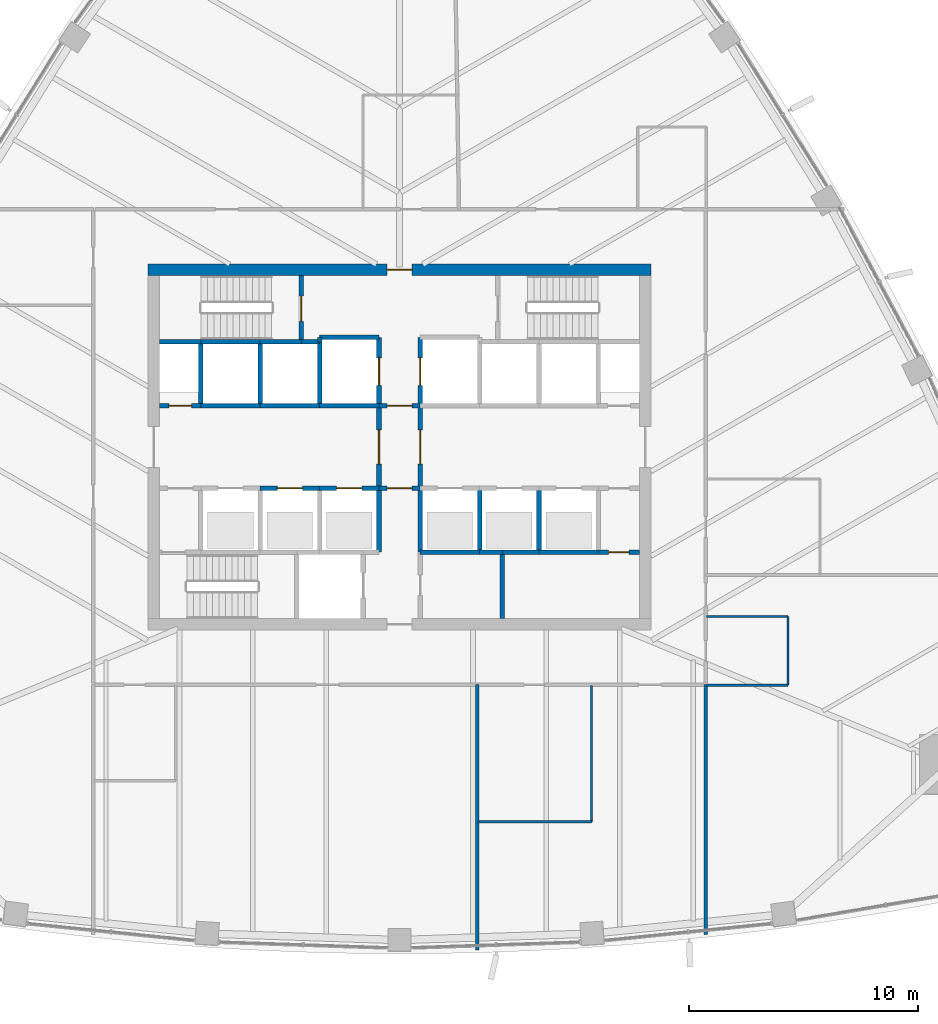
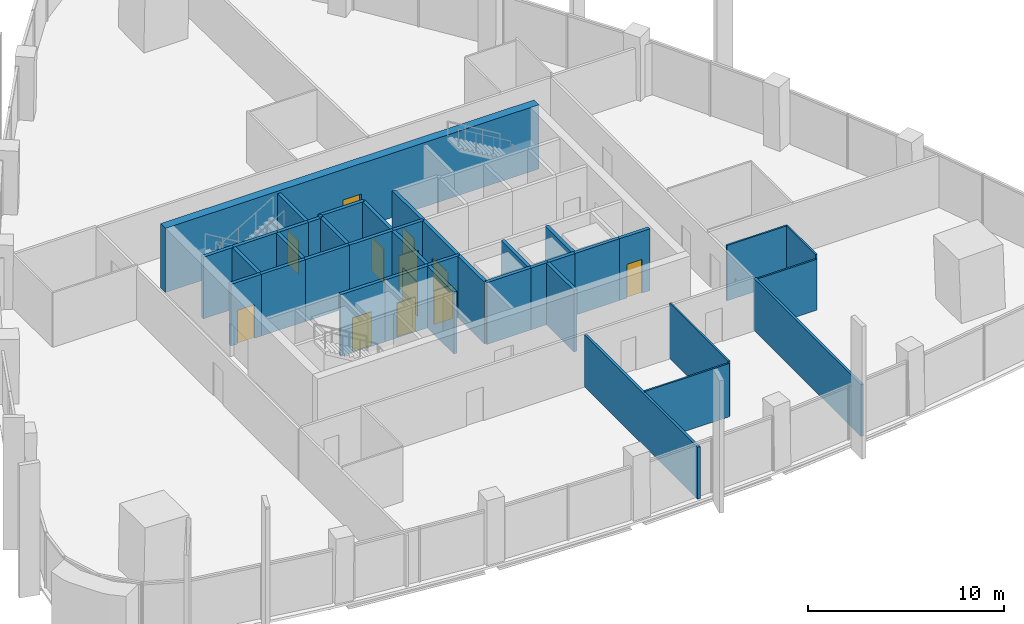
# One storey, part 10 of 20: 40 walls, 12 doors, 12 openings.
"""IFC4 building model written with IfcOpenShell, lengths in metres."""

from ifc_helpers import new_model, si_unit, direction, frame, frame_2d, origin, place, context, subcontext, project, spatial, rectangle, extrude, material, layer, layer_set, type_object, element, fill, save


model = new_model("IFC4")

# Units and contexts
model_context = context("Model", 3, precision=1e-05, world=origin(), true_north=direction((0.0, 1.0)))
body_context = subcontext(model_context, "Body", "Model", "MODEL_VIEW")
ifc_project = project(units=[si_unit("LENGTHUNIT", "METRE"), si_unit("AREAUNIT", "SQUARE_METRE"), si_unit("VOLUMEUNIT", "CUBIC_METRE"), si_unit("PLANEANGLEUNIT", "RADIAN"), si_unit("MASSUNIT", "GRAM", prefix="KILO")], contexts=[model_context])

# Site, building, storey
site_placement = place(None, origin())
site = spatial("IfcSite", under=ifc_project, at=site_placement, CompositionType="ELEMENT")
building_placement = place(site_placement, origin())
building = spatial("IfcBuilding", under=site, at=building_placement, Name="Sierra Prisma Convention Tower", CompositionType="ELEMENT")
storey_placement = place(building_placement, frame((0.0, 0.0, 161.800048828125)))
storey = spatial("IfcBuildingStorey", under=building, at=storey_placement, Name="L35", CompositionType="ELEMENT", Elevation=161.800048828125)

# Walls
ifc_material_1 = material(Name="Gypsum board partition", Category="gypsum")
ifc_layer_1 = layer(ifc_material_1, 0.10009765625)
ifc_layer_set_1 = layer_set([ifc_layer_1], Name="Bathroom partition 100")
wall_type_1 = type_object("IfcWallType", Name="Bathroom partition 100", PredefinedType="PARTITIONING", material=ifc_layer_set_1)
wall_1_placement = place(storey_placement, frame((8.39990234375, -10.429931640625, 0.0), z_axis=(0.0, 0.0, 1.0), x_axis=(0.0, -1.0, 0.0)))
element("IfcWall", 1, at=wall_1_placement, inside=storey, type_object=wall_type_1, Name="Partition L35 bath 7", PredefinedType="PARTITIONING", context=body_context, shape_type="SweptSolid", body=[
    extrude(rectangle(XDim=5.969970703125, YDim=0.10009765625, at=frame_2d((2.98486328125, 0.0))), origin(), (0.0, 0.0, 1.0), 3.449951171875),
])
wall_2_placement = place(storey_placement, frame((8.39990234375, -16.39990234375, 0.0), z_axis=(0.0, 0.0, 1.0), x_axis=(-1.0, 0.0, 0.0)))
element("IfcWall", 2, at=wall_2_placement, inside=storey, type_object=wall_type_1, Name="Partition L35 bath 8", PredefinedType="PARTITIONING", context=body_context, shape_type="SweptSolid", body=[
    extrude(rectangle(XDim=4.969970703125, YDim=0.10009765625, at=frame_2d((2.48486328125, 0.0))), origin(), (0.0, 0.0, 1.0), 3.31689453125),
])
wall_3_placement = place(storey_placement, frame((13.429931640625, -7.419921875, 0.0), z_axis=(0.0, 0.0, 1.0), x_axis=(1.0, 0.0, 0.0)))
element("IfcWall", 3, at=wall_3_placement, inside=storey, type_object=wall_type_1, Name="Partition L35 bath 12", PredefinedType="PARTITIONING", context=body_context, shape_type="SweptSolid", body=[
    extrude(rectangle(XDim=3.570068359375, YDim=0.10009765625, at=frame_2d((1.78515625, 0.0))), origin(), (0.0, 0.0, 1.0), 3.449951171875),
])
wall_4_placement = place(storey_placement, frame((17.0, -7.419921875, 0.0), z_axis=(0.0, 0.0, 1.0), x_axis=(0.0, -1.0, 0.0)))
element("IfcWall", 4, at=wall_4_placement, inside=storey, type_object=wall_type_1, Name="Partition L35 bath 13", PredefinedType="PARTITIONING", context=body_context, shape_type="SweptSolid", body=[
    extrude(rectangle(XDim=3.0, YDim=0.10009765625, at=frame_2d((1.5, 0.0))), origin(), (0.0, 0.0, 1.0), 3.449951171875),
])
wall_5_placement = place(storey_placement, frame((17.0, -10.419921875, 0.0), z_axis=(0.0, 0.0, 1.0), x_axis=(-1.0, 0.0, 0.0)))
element("IfcWall", 5, at=wall_5_placement, inside=storey, type_object=wall_type_1, Name="Partition L35 bath 14", PredefinedType="PARTITIONING", context=body_context, shape_type="SweptSolid", body=[
    extrude(rectangle(XDim=3.570068359375, YDim=0.10009765625, at=frame_2d((1.78515625, 0.0))), origin(), (0.0, 0.0, 1.0), 3.166015625),
])

# Wall, opening, door
ifc_material_2 = material(Name="Concrete C30/37", Category="concrete")
ifc_layer_2 = layer(ifc_material_2, 0.199951171875)
ifc_layer_set_2 = layer_set([ifc_layer_2], Name="Core wall RC 200 C30/37")
wall_type_2 = type_object("IfcWallType", Name="Core wall RC 200 C30/37", PredefinedType="SOLIDWALL", material=ifc_layer_set_2)
wall_6_placement = place(storey_placement, frame((-8.699951171875, 1.800048828125, 0.0), z_axis=(0.0, 0.0, 1.0), x_axis=(-1.0, 0.0, 0.0)))
wall_6 = element("IfcWall", 6, at=wall_6_placement, inside=storey, type_object=wall_type_2, Name="Core wall L35 3", PredefinedType="SOLIDWALL", context=body_context, shape_type="SweptSolid", body=[
    extrude(rectangle(XDim=1.800048828125, YDim=0.199951171875, at=frame_2d((0.89990234375, 0.0))), origin(), (0.0, 0.0, 1.0), 3.849853515625),
])
opening_1_placement = place(wall_6_placement, frame((0.39990234375, 0.0, 0.0)))
opening_1 = element("IfcOpeningElement", 7, at=opening_1_placement, cuts=wall_6, Name="Opening L35-D015", PredefinedType="OPENING", context=body_context, shape_type="SweptSolid", body=[
    extrude(rectangle(XDim=1.0, YDim=2.10009765625, at=frame_2d((0.5, 1.050048828125))), frame((0.0, 0.10009765625, 0.0), z_axis=(0.0, -1.0, 0.0), x_axis=(1.0, 0.0, 0.0)), (0.0, 0.0, 1.0), 0.199951171875),
])
ifc_material_3 = material(Name="Steel fire door leaf", Category="steel")
door_type_1 = type_object("IfcDoorType", Name="Door 1000x2100 FD60S", OperationType="SINGLE_SWING_LEFT", PredefinedType="DOOR", material=ifc_material_3)
door_1_placement = place(opening_1_placement, origin())
door_1 = element("IfcDoor", 8, at=door_1_placement, inside=storey, type_object=door_type_1, Name="Door L35 29", OperationType="SINGLE_SWING_RIGHT", OverallHeight=2.10009765625, OverallWidth=1.0, PredefinedType="DOOR", context=body_context, shape_type="SweptSolid", body=[
    extrude(rectangle(XDim=1.0, YDim=2.10009765625, at=frame_2d((0.5, 1.050048828125))), frame((0.0, 0.02490234375, 0.0), z_axis=(0.0, -1.0, 0.0), x_axis=(1.0, 0.0, 0.0)), (0.0, 0.0, 1.0), 0.050048828125),
])
fill(opening_1, door_1)

# Walls
wall_7_placement = place(storey_placement, frame((-8.699951171875, 4.60009765625, 0.0), z_axis=(0.0, 0.0, 1.0), x_axis=(-1.0, 0.0, 0.0)))
element("IfcWall", 9, at=wall_7_placement, inside=storey, type_object=wall_type_2, Name="Core wall L35 4", PredefinedType="SOLIDWALL", context=body_context, shape_type="SweptSolid", body=[
    extrude(rectangle(XDim=1.800048828125, YDim=0.199951171875, at=frame_2d((0.89990234375, 0.0))), origin(), (0.0, 0.0, 1.0), 3.849853515625),
])
wall_8_placement = place(storey_placement, frame((-6.10009765625, 1.800048828125, 0.0), z_axis=(0.0, 0.0, 1.0), x_axis=(-1.0, 0.0, 0.0)))
element("IfcWall", 10, at=wall_8_placement, inside=storey, type_object=wall_type_2, Name="Core wall L35 8", PredefinedType="SOLIDWALL", context=body_context, shape_type="SweptSolid", body=[
    extrude(rectangle(XDim=2.599853515625, YDim=0.199951171875, at=frame_2d((1.2998046875, 0.0))), origin(), (0.0, 0.0, 1.0), 3.849853515625),
])
wall_9_placement = place(storey_placement, frame((-8.699951171875, 1.800048828125, 0.0), z_axis=(0.0, 0.0, 1.0), x_axis=(0.0, 1.0, 0.0)))
element("IfcWall", 11, at=wall_9_placement, inside=storey, type_object=wall_type_2, Name="Core wall L35 9", PredefinedType="SOLIDWALL", context=body_context, shape_type="SweptSolid", body=[
    extrude(rectangle(XDim=2.800048828125, YDim=0.199951171875, at=frame_2d((1.39990234375, 0.0))), origin(), (0.0, 0.0, 1.0), 3.849853515625),
])
wall_10_placement = place(storey_placement, frame((-6.10009765625, 4.60009765625, 0.0), z_axis=(0.0, 0.0, 1.0), x_axis=(-1.0, 0.0, 0.0)))
element("IfcWall", 12, at=wall_10_placement, inside=storey, type_object=wall_type_2, Name="Core wall L35 10", PredefinedType="SOLIDWALL", context=body_context, shape_type="SweptSolid", body=[
    extrude(rectangle(XDim=2.599853515625, YDim=0.199951171875, at=frame_2d((1.2998046875, 0.0))), origin(), (0.0, 0.0, 1.0), 3.849853515625),
])

# Wall, opening, door
wall_11_placement = place(storey_placement, frame((-6.10009765625, -1.800048828125, 0.0), z_axis=(0.0, 0.0, 1.0), x_axis=(1.0, 0.0, 0.0)))
wall_11 = element("IfcWall", 13, at=wall_11_placement, inside=storey, type_object=wall_type_2, Name="Core wall L35 13", PredefinedType="SOLIDWALL", context=body_context, shape_type="SweptSolid", body=[
    extrude(rectangle(XDim=2.60009765625, YDim=0.199951171875, at=frame_2d((1.300048828125, 0.0))), origin(), (0.0, 0.0, 1.0), 3.849853515625),
])
opening_2_placement = place(wall_11_placement, frame((0.75, 0.0, 0.0)))
opening_2 = element("IfcOpeningElement", 14, at=opening_2_placement, cuts=wall_11, Name="Opening L35-D002", PredefinedType="OPENING", context=body_context, shape_type="SweptSolid", body=[
    extrude(rectangle(XDim=1.10009765625, YDim=2.10009765625, at=frame_2d((0.550048828125, 1.050048828125))), frame((0.0, 0.10009765625, 0.0), z_axis=(0.0, -1.0, 0.0), x_axis=(1.0, 0.0, 0.0)), (0.0, 0.0, 1.0), 0.199951171875),
])
ifc_material_4 = material(Name="Steel fire door leaf", Category="steel")
door_type_2 = type_object("IfcDoorType", Name="Door 1100x2100 EI 90 sliding lift landing", OperationType="SLIDING_TO_LEFT", PredefinedType="DOOR", material=ifc_material_4)
door_2_placement = place(opening_2_placement, origin())
door_2 = element("IfcDoor", 15, at=door_2_placement, inside=storey, type_object=door_type_2, Name="Door L35 16", OperationType="SLIDING_TO_LEFT", OverallHeight=2.10009765625, OverallWidth=1.10009765625, PredefinedType="DOOR", context=body_context, shape_type="SweptSolid", body=[
    extrude(rectangle(XDim=1.10009765625, YDim=2.10009765625, at=frame_2d((0.550048828125, 1.050048828125))), frame((0.0, 0.02490234375, 0.0), z_axis=(0.0, -1.0, 0.0), x_axis=(1.0, 0.0, 0.0)), (0.0, 0.0, 1.0), 0.050048828125),
])
fill(opening_2, door_2)

# Walls
wall_12_placement = place(storey_placement, frame((-3.5, 1.800048828125, 0.0), z_axis=(0.0, 0.0, 1.0), x_axis=(-1.0, 0.0, 0.0)))
element("IfcWall", 16, at=wall_12_placement, inside=storey, type_object=wall_type_2, Name="Core wall L35 14", PredefinedType="SOLIDWALL", context=body_context, shape_type="SweptSolid", body=[
    extrude(rectangle(XDim=2.60009765625, YDim=0.199951171875, at=frame_2d((1.300048828125, 0.0))), origin(), (0.0, 0.0, 1.0), 3.849853515625),
])
wall_13_placement = place(storey_placement, frame((-6.10009765625, 1.800048828125, 0.0), z_axis=(0.0, 0.0, 1.0), x_axis=(0.0, 1.0, 0.0)))
element("IfcWall", 17, at=wall_13_placement, inside=storey, type_object=wall_type_2, Name="Core wall L35 15", PredefinedType="SOLIDWALL", context=body_context, shape_type="SweptSolid", body=[
    extrude(rectangle(XDim=2.800048828125, YDim=0.199951171875, at=frame_2d((1.39990234375, 0.0))), origin(), (0.0, 0.0, 1.0), 3.849853515625),
])
wall_14_placement = place(storey_placement, frame((-4.300048828125, 4.60009765625, 0.0), z_axis=(0.0, 0.0, 1.0), x_axis=(-1.0, 0.0, 0.0)))
element("IfcWall", 18, at=wall_14_placement, inside=storey, type_object=wall_type_2, Name="Core wall L35 16", PredefinedType="SOLIDWALL", context=body_context, shape_type="SweptSolid", body=[
    extrude(rectangle(XDim=1.800048828125, YDim=0.199951171875, at=frame_2d((0.89990234375, 0.0))), origin(), (0.0, 0.0, 1.0), 3.849853515625),
])
wall_15_placement = place(storey_placement, frame((-3.5, 4.60009765625, 0.0), z_axis=(0.0, 0.0, 1.0), x_axis=(-1.0, 0.0, 0.0)))
element("IfcWall", 19, at=wall_15_placement, inside=storey, type_object=wall_type_2, Name="Core wall L35 19", PredefinedType="SOLIDWALL", context=body_context, shape_type="SweptSolid", body=[
    extrude(rectangle(XDim=0.800048828125, YDim=0.199951171875, at=frame_2d((0.39990234375, 0.0))), origin(), (0.0, 0.0, 1.0), 3.849853515625),
])

# Wall, opening, door
wall_16_placement = place(storey_placement, frame((-4.300048828125, 4.60009765625, 0.0), z_axis=(0.0, 0.0, 1.0), x_axis=(0.0, 1.0, 0.0)))
wall_16 = element("IfcWall", 20, at=wall_16_placement, inside=storey, type_object=wall_type_2, Name="Core wall L35 20", PredefinedType="SOLIDWALL", context=body_context, shape_type="SweptSolid", body=[
    extrude(rectangle(XDim=2.89990234375, YDim=0.199951171875, at=frame_2d((1.449951171875, 0.0))), origin(), (0.0, 0.0, 1.0), 3.849853515625),
])
opening_3_placement = place(wall_16_placement, frame((0.89990234375, 0.0, 0.0)))
opening_3 = element("IfcOpeningElement", 21, at=opening_3_placement, cuts=wall_16, Name="Opening L35-D018", PredefinedType="OPENING", context=body_context, shape_type="SweptSolid", body=[
    extrude(rectangle(XDim=1.10009765625, YDim=2.10009765625, at=frame_2d((0.550048828125, 1.050048828125))), frame((0.0, 0.10009765625, 0.0), z_axis=(0.0, -1.0, 0.0), x_axis=(1.0, 0.0, 0.0)), (0.0, 0.0, 1.0), 0.199951171875),
])
ifc_material_5 = material(Name="Steel fire door leaf", Category="steel")
door_type_3 = type_object("IfcDoorType", Name="Door 1100x2100 FD90S", OperationType="SINGLE_SWING_LEFT", PredefinedType="DOOR", material=ifc_material_5)
door_3_placement = place(opening_3_placement, origin())
door_3 = element("IfcDoor", 22, at=door_3_placement, inside=storey, type_object=door_type_3, Name="Door L35 32", OperationType="SINGLE_SWING_RIGHT", OverallHeight=2.10009765625, OverallWidth=1.10009765625, PredefinedType="DOOR", context=body_context, shape_type="SweptSolid", body=[
    extrude(rectangle(XDim=1.10009765625, YDim=2.10009765625, at=frame_2d((0.550048828125, 1.050048828125))), frame((0.0, 0.02490234375, 0.0), z_axis=(0.0, -1.0, 0.0), x_axis=(1.0, 0.0, 0.0)), (0.0, 0.0, 1.0), 0.050048828125),
])
fill(opening_3, door_3)

wall_17_placement = place(storey_placement, frame((-3.5, -1.800048828125, 0.0), z_axis=(0.0, 0.0, 1.0), x_axis=(1.0, 0.0, 0.0)))
wall_17 = element("IfcWall", 23, at=wall_17_placement, inside=storey, type_object=wall_type_2, Name="Core wall L35 23", PredefinedType="SOLIDWALL", context=body_context, shape_type="SweptSolid", body=[
    extrude(rectangle(XDim=2.60009765625, YDim=0.199951171875, at=frame_2d((1.300048828125, 0.0))), origin(), (0.0, 0.0, 1.0), 3.849853515625),
])
opening_4_placement = place(wall_17_placement, frame((0.75, 0.0, 0.0)))
opening_4 = element("IfcOpeningElement", 24, at=opening_4_placement, cuts=wall_17, Name="Opening L35-D003", PredefinedType="OPENING", context=body_context, shape_type="SweptSolid", body=[
    extrude(rectangle(XDim=1.10009765625, YDim=2.10009765625, at=frame_2d((0.550048828125, 1.050048828125))), frame((0.0, 0.10009765625, 0.0), z_axis=(0.0, -1.0, 0.0), x_axis=(1.0, 0.0, 0.0)), (0.0, 0.0, 1.0), 0.199951171875),
])
door_4_placement = place(opening_4_placement, origin())
door_4 = element("IfcDoor", 25, at=door_4_placement, inside=storey, type_object=door_type_2, Name="Door L35 17", OperationType="SLIDING_TO_RIGHT", OverallHeight=2.10009765625, OverallWidth=1.10009765625, PredefinedType="DOOR", context=body_context, shape_type="SweptSolid", body=[
    extrude(rectangle(XDim=1.10009765625, YDim=2.10009765625, at=frame_2d((0.550048828125, 1.050048828125))), frame((0.0, 0.02490234375, 0.0), z_axis=(0.0, -1.0, 0.0), x_axis=(1.0, 0.0, 0.0)), (0.0, 0.0, 1.0), 0.050048828125),
])
fill(opening_4, door_4)

# Walls
wall_18_placement = place(storey_placement, frame((-0.89990234375, 1.800048828125, 0.0), z_axis=(0.0, 0.0, 1.0), x_axis=(-1.0, 0.0, 0.0)))
element("IfcWall", 26, at=wall_18_placement, inside=storey, type_object=wall_type_2, Name="Core wall L35 24", PredefinedType="SOLIDWALL", context=body_context, shape_type="SweptSolid", body=[
    extrude(rectangle(XDim=2.60009765625, YDim=0.199951171875, at=frame_2d((1.300048828125, 0.0))), origin(), (0.0, 0.0, 1.0), 3.849853515625),
])
wall_19_placement = place(storey_placement, frame((-3.5, 4.60009765625, 0.0), z_axis=(0.0, 0.0, 1.0), x_axis=(0.0, -1.0, 0.0)))
element("IfcWall", 27, at=wall_19_placement, inside=storey, type_object=wall_type_2, Name="Core wall L35 25", PredefinedType="SOLIDWALL", context=body_context, shape_type="SweptSolid", body=[
    extrude(rectangle(XDim=2.800048828125, YDim=0.199951171875, at=frame_2d((1.39990234375, 0.0))), origin(), (0.0, 0.0, 1.0), 3.849853515625),
])

# Wall, opening, door
wall_20_placement = place(storey_placement, frame((-0.89990234375, 1.800048828125, 0.0), z_axis=(0.0, 0.0, 1.0), x_axis=(0.0, 1.0, 0.0)))
wall_20 = element("IfcWall", 28, at=wall_20_placement, inside=storey, type_object=wall_type_2, Name="Core wall L35 26", PredefinedType="SOLIDWALL", context=body_context, shape_type="SweptSolid", body=[
    extrude(rectangle(XDim=3.0, YDim=0.199951171875, at=frame_2d((1.5, 0.0))), origin(), (0.0, 0.0, 1.0), 3.849853515625),
])
opening_5_placement = place(wall_20_placement, frame((0.89990234375, 0.0, 0.0)))
opening_5 = element("IfcOpeningElement", 29, at=opening_5_placement, cuts=wall_20, Name="Opening L35-D007", PredefinedType="OPENING", context=body_context, shape_type="SweptSolid", body=[
    extrude(rectangle(XDim=1.199951171875, YDim=2.10009765625, at=frame_2d((0.60009765625, 1.050048828125))), frame((0.0, 0.10009765625, 0.0), z_axis=(0.0, -1.0, 0.0), x_axis=(1.0, 0.0, 0.0)), (0.0, 0.0, 1.0), 0.199951171875),
])
ifc_material_6 = material(Name="Steel fire door leaf", Category="steel")
door_type_4 = type_object("IfcDoorType", Name="Door 1200x2100 EI 90 sliding lift landing", OperationType="SLIDING_TO_LEFT", PredefinedType="DOOR", material=ifc_material_6)
door_5_placement = place(opening_5_placement, origin())
door_5 = element("IfcDoor", 30, at=door_5_placement, inside=storey, type_object=door_type_4, Name="Door L35 21", OperationType="SLIDING_TO_RIGHT", OverallHeight=2.10009765625, OverallWidth=1.199951171875, PredefinedType="DOOR", context=body_context, shape_type="SweptSolid", body=[
    extrude(rectangle(XDim=1.199951171875, YDim=2.10009765625, at=frame_2d((0.60009765625, 1.050048828125))), frame((0.0, 0.02490234375, 0.0), z_axis=(0.0, -1.0, 0.0), x_axis=(1.0, 0.0, 0.0)), (0.0, 0.0, 1.0), 0.050048828125),
])
fill(opening_5, door_5)

# Walls
wall_21_placement = place(storey_placement, frame((-0.89990234375, 4.800048828125, 0.0), z_axis=(0.0, 0.0, 1.0), x_axis=(-1.0, 0.0, 0.0)))
element("IfcWall", 31, at=wall_21_placement, inside=storey, type_object=wall_type_2, Name="Core wall L35 27", PredefinedType="SOLIDWALL", context=body_context, shape_type="SweptSolid", body=[
    extrude(rectangle(XDim=2.60009765625, YDim=0.199951171875, at=frame_2d((1.300048828125, 0.0))), origin(), (0.0, 0.0, 1.0), 3.849853515625),
])
wall_22_placement = place(storey_placement, frame((-3.5, 4.800048828125, 0.0), z_axis=(0.0, 0.0, 1.0), x_axis=(0.0, -1.0, 0.0)))
element("IfcWall", 32, at=wall_22_placement, inside=storey, type_object=wall_type_2, Name="Core wall L35 28", PredefinedType="SOLIDWALL", context=body_context, shape_type="SweptSolid", body=[
    extrude(rectangle(XDim=0.199951171875, YDim=0.199951171875, at=frame_2d((0.10009765625, 0.0))), origin(), (0.0, 0.0, 1.0), 3.849853515625),
])
wall_23_placement = place(storey_placement, frame((-0.89990234375, -4.60009765625, 0.0), z_axis=(0.0, 0.0, 1.0), x_axis=(0.0, 1.0, 0.0)))
element("IfcWall", 33, at=wall_23_placement, inside=storey, type_object=wall_type_2, Name="Core wall L35 31", PredefinedType="SOLIDWALL", context=body_context, shape_type="SweptSolid", body=[
    extrude(rectangle(XDim=2.800048828125, YDim=0.199951171875, at=frame_2d((1.39990234375, 0.0))), origin(), (0.0, 0.0, 1.0), 3.849853515625),
])

# Wall, opening, door
wall_24_placement = place(storey_placement, frame((-0.89990234375, -1.800048828125, 0.0), z_axis=(0.0, 0.0, 1.0), x_axis=(1.0, 0.0, 0.0)))
wall_24 = element("IfcWall", 34, at=wall_24_placement, inside=storey, type_object=wall_type_2, Name="Core wall L35 32", PredefinedType="SOLIDWALL", context=body_context, shape_type="SweptSolid", body=[
    extrude(rectangle(XDim=1.7998046875, YDim=0.199951171875, at=frame_2d((0.89990234375, 0.0))), origin(), (0.0, 0.0, 1.0), 3.849853515625),
])
opening_6_placement = place(wall_24_placement, frame((0.35009765625, 0.0, 0.0)))
opening_6 = element("IfcOpeningElement", 35, at=opening_6_placement, cuts=wall_24, Name="Opening L35-D014", PredefinedType="OPENING", context=body_context, shape_type="SweptSolid", body=[
    extrude(rectangle(XDim=1.10009765625, YDim=2.10009765625, at=frame_2d((0.550048828125, 1.050048828125))), frame((0.0, 0.10009765625, 0.0), z_axis=(0.0, -1.0, 0.0), x_axis=(1.0, 0.0, 0.0)), (0.0, 0.0, 1.0), 0.199951171875),
])
ifc_material_7 = material(Name="Steel fire door leaf", Category="steel")
door_type_5 = type_object("IfcDoorType", Name="Door 1100x2100 FD30S", OperationType="SINGLE_SWING_LEFT", PredefinedType="DOOR", material=ifc_material_7)
door_6_placement = place(opening_6_placement, origin())
door_6 = element("IfcDoor", 36, at=door_6_placement, inside=storey, type_object=door_type_5, Name="Door L35 28", OperationType="SINGLE_SWING_LEFT", OverallHeight=2.10009765625, OverallWidth=1.10009765625, PredefinedType="DOOR", context=body_context, shape_type="SweptSolid", body=[
    extrude(rectangle(XDim=1.10009765625, YDim=2.10009765625, at=frame_2d((0.550048828125, 1.050048828125))), frame((0.0, 0.02490234375, 0.0), z_axis=(0.0, -1.0, 0.0), x_axis=(1.0, 0.0, 0.0)), (0.0, 0.0, 1.0), 0.050048828125),
])
fill(opening_6, door_6)

wall_25_placement = place(storey_placement, frame((-0.89990234375, 1.800048828125, 0.0), z_axis=(0.0, 0.0, 1.0), x_axis=(0.0, -1.0, 0.0)))
wall_25 = element("IfcWall", 37, at=wall_25_placement, inside=storey, type_object=wall_type_2, Name="Core wall L35 33", PredefinedType="SOLIDWALL", context=body_context, shape_type="SweptSolid", body=[
    extrude(rectangle(XDim=3.60009765625, YDim=0.199951171875, at=frame_2d((1.800048828125, 0.0))), origin(), (0.0, 0.0, 1.0), 3.849853515625),
])
opening_7_placement = place(wall_25_placement, frame((1.050048828125, 0.0, 0.0)))
opening_7 = element("IfcOpeningElement", 38, at=opening_7_placement, cuts=wall_25, Name="Opening L35-D010", PredefinedType="OPENING", context=body_context, shape_type="SweptSolid", body=[
    extrude(rectangle(XDim=1.5, YDim=2.10009765625, at=frame_2d((0.75, 1.050048828125))), frame((0.0, 0.10009765625, 0.0), z_axis=(0.0, -1.0, 0.0), x_axis=(1.0, 0.0, 0.0)), (0.0, 0.0, 1.0), 0.199951171875),
])
ifc_material_8 = material(Name="Steel fire door leaf", Category="steel")
door_type_6 = type_object("IfcDoorType", Name="Door 1500x2100 FD30S", OperationType="DOUBLE_DOOR_SINGLE_SWING", PredefinedType="DOOR", material=ifc_material_8)
door_7_placement = place(opening_7_placement, origin())
door_7 = element("IfcDoor", 39, at=door_7_placement, inside=storey, type_object=door_type_6, Name="Door L35 24", OperationType="DOUBLE_DOOR_SINGLE_SWING", OverallHeight=2.10009765625, OverallWidth=1.5, PredefinedType="DOOR", context=body_context, shape_type="SweptSolid", body=[
    extrude(rectangle(XDim=1.5, YDim=2.10009765625, at=frame_2d((0.75, 1.050048828125))), frame((0.0, 0.02490234375, 0.0), z_axis=(0.0, -1.0, 0.0), x_axis=(1.0, 0.0, 0.0)), (0.0, 0.0, 1.0), 0.050048828125),
])
fill(opening_7, door_7)

wall_26_placement = place(storey_placement, frame((0.89990234375, 1.800048828125, 0.0), z_axis=(0.0, 0.0, 1.0), x_axis=(-1.0, 0.0, 0.0)))
wall_26 = element("IfcWall", 40, at=wall_26_placement, inside=storey, type_object=wall_type_2, Name="Core wall L35 34", PredefinedType="SOLIDWALL", context=body_context, shape_type="SweptSolid", body=[
    extrude(rectangle(XDim=1.7998046875, YDim=0.199951171875, at=frame_2d((0.89990234375, 0.0))), origin(), (0.0, 0.0, 1.0), 3.849853515625),
])
opening_8_placement = place(wall_26_placement, frame((0.35009765625, 0.0, 0.0)))
opening_8 = element("IfcOpeningElement", 41, at=opening_8_placement, cuts=wall_26, Name="Opening L35-D013", PredefinedType="OPENING", context=body_context, shape_type="SweptSolid", body=[
    extrude(rectangle(XDim=1.10009765625, YDim=2.10009765625, at=frame_2d((0.550048828125, 1.050048828125))), frame((0.0, 0.10009765625, 0.0), z_axis=(0.0, -1.0, 0.0), x_axis=(1.0, 0.0, 0.0)), (0.0, 0.0, 1.0), 0.199951171875),
])
ifc_material_9 = material(Name="Steel fire door leaf", Category="steel")
door_type_7 = type_object("IfcDoorType", Name="Door 1100x2100 FD60S", OperationType="SINGLE_SWING_LEFT", PredefinedType="DOOR", material=ifc_material_9)
door_8_placement = place(opening_8_placement, origin())
door_8 = element("IfcDoor", 42, at=door_8_placement, inside=storey, type_object=door_type_7, Name="Door L35 27", OperationType="SINGLE_SWING_LEFT", OverallHeight=2.10009765625, OverallWidth=1.10009765625, PredefinedType="DOOR", context=body_context, shape_type="SweptSolid", body=[
    extrude(rectangle(XDim=1.10009765625, YDim=2.10009765625, at=frame_2d((0.550048828125, 1.050048828125))), frame((0.0, 0.02490234375, 0.0), z_axis=(0.0, -1.0, 0.0), x_axis=(1.0, 0.0, 0.0)), (0.0, 0.0, 1.0), 0.050048828125),
])
fill(opening_8, door_8)

# Walls
wall_27_placement = place(storey_placement, frame((3.5, -4.60009765625, 0.0), z_axis=(0.0, 0.0, 1.0), x_axis=(-1.0, 0.0, 0.0)))
element("IfcWall", 43, at=wall_27_placement, inside=storey, type_object=wall_type_2, Name="Core wall L35 36", PredefinedType="SOLIDWALL", context=body_context, shape_type="SweptSolid", body=[
    extrude(rectangle(XDim=2.60009765625, YDim=0.199951171875, at=frame_2d((1.300048828125, 0.0))), origin(), (0.0, 0.0, 1.0), 3.849853515625),
])
wall_28_placement = place(storey_placement, frame((0.89990234375, -1.800048828125, 0.0), z_axis=(0.0, 0.0, 1.0), x_axis=(0.0, -1.0, 0.0)))
element("IfcWall", 44, at=wall_28_placement, inside=storey, type_object=wall_type_2, Name="Core wall L35 37", PredefinedType="SOLIDWALL", context=body_context, shape_type="SweptSolid", body=[
    extrude(rectangle(XDim=2.800048828125, YDim=0.199951171875, at=frame_2d((1.39990234375, 0.0))), origin(), (0.0, 0.0, 1.0), 3.849853515625),
])

# Wall, opening, door
wall_29_placement = place(storey_placement, frame((0.89990234375, -1.800048828125, 0.0), z_axis=(0.0, 0.0, 1.0), x_axis=(0.0, 1.0, 0.0)))
wall_29 = element("IfcWall", 45, at=wall_29_placement, inside=storey, type_object=wall_type_2, Name="Core wall L35 39", PredefinedType="SOLIDWALL", context=body_context, shape_type="SweptSolid", body=[
    extrude(rectangle(XDim=3.60009765625, YDim=0.199951171875, at=frame_2d((1.800048828125, 0.0))), origin(), (0.0, 0.0, 1.0), 3.849853515625),
])
opening_9_placement = place(wall_29_placement, frame((1.050048828125, 0.0, 0.0)))
opening_9 = element("IfcOpeningElement", 46, at=opening_9_placement, cuts=wall_29, Name="Opening L35-D011", PredefinedType="OPENING", context=body_context, shape_type="SweptSolid", body=[
    extrude(rectangle(XDim=1.5, YDim=2.10009765625, at=frame_2d((0.75, 1.050048828125))), frame((0.0, 0.10009765625, 0.0), z_axis=(0.0, -1.0, 0.0), x_axis=(1.0, 0.0, 0.0)), (0.0, 0.0, 1.0), 0.199951171875),
])
door_9_placement = place(opening_9_placement, origin())
door_9 = element("IfcDoor", 47, at=door_9_placement, inside=storey, type_object=door_type_6, Name="Door L35 25", OperationType="DOUBLE_DOOR_SINGLE_SWING", OverallHeight=2.10009765625, OverallWidth=1.5, PredefinedType="DOOR", context=body_context, shape_type="SweptSolid", body=[
    extrude(rectangle(XDim=1.5, YDim=2.10009765625, at=frame_2d((0.75, 1.050048828125))), frame((0.0, 0.02490234375, 0.0), z_axis=(0.0, -1.0, 0.0), x_axis=(1.0, 0.0, 0.0)), (0.0, 0.0, 1.0), 0.050048828125),
])
fill(opening_9, door_9)

wall_30_placement = place(storey_placement, frame((0.89990234375, 4.800048828125, 0.0), z_axis=(0.0, 0.0, 1.0), x_axis=(0.0, -1.0, 0.0)))
wall_30 = element("IfcWall", 48, at=wall_30_placement, inside=storey, type_object=wall_type_2, Name="Core wall L35 43", PredefinedType="SOLIDWALL", context=body_context, shape_type="SweptSolid", body=[
    extrude(rectangle(XDim=3.0, YDim=0.199951171875, at=frame_2d((1.5, 0.0))), origin(), (0.0, 0.0, 1.0), 3.849853515625),
])
opening_10_placement = place(wall_30_placement, frame((0.89990234375, 0.0, 0.0)))
opening_10 = element("IfcOpeningElement", 49, at=opening_10_placement, cuts=wall_30, Name="Opening L35-D008", PredefinedType="OPENING", context=body_context, shape_type="SweptSolid", body=[
    extrude(rectangle(XDim=1.199951171875, YDim=2.10009765625, at=frame_2d((0.60009765625, 1.050048828125))), frame((0.0, 0.10009765625, 0.0), z_axis=(0.0, -1.0, 0.0), x_axis=(1.0, 0.0, 0.0)), (0.0, 0.0, 1.0), 0.199951171875),
])
door_10_placement = place(opening_10_placement, origin())
door_10 = element("IfcDoor", 50, at=door_10_placement, inside=storey, type_object=door_type_4, Name="Door L35 22", OperationType="SLIDING_TO_RIGHT", OverallHeight=2.10009765625, OverallWidth=1.199951171875, PredefinedType="DOOR", context=body_context, shape_type="SweptSolid", body=[
    extrude(rectangle(XDim=1.199951171875, YDim=2.10009765625, at=frame_2d((0.60009765625, 1.050048828125))), frame((0.0, 0.02490234375, 0.0), z_axis=(0.0, -1.0, 0.0), x_axis=(1.0, 0.0, 0.0)), (0.0, 0.0, 1.0), 0.050048828125),
])
fill(opening_10, door_10)

# Walls
wall_31_placement = place(storey_placement, frame((4.5, -4.60009765625, 0.0), z_axis=(0.0, 0.0, 1.0), x_axis=(-1.0, 0.0, 0.0)))
element("IfcWall", 51, at=wall_31_placement, inside=storey, type_object=wall_type_2, Name="Core wall L35 44", PredefinedType="SOLIDWALL", context=body_context, shape_type="SweptSolid", body=[
    extrude(rectangle(XDim=1.0, YDim=0.199951171875, at=frame_2d((0.5, 0.0))), origin(), (0.0, 0.0, 1.0), 3.849853515625),
])
wall_32_placement = place(storey_placement, frame((3.5, -4.60009765625, 0.0), z_axis=(0.0, 0.0, 1.0), x_axis=(0.0, 1.0, 0.0)))
element("IfcWall", 52, at=wall_32_placement, inside=storey, type_object=wall_type_2, Name="Core wall L35 45", PredefinedType="SOLIDWALL", context=body_context, shape_type="SweptSolid", body=[
    extrude(rectangle(XDim=2.800048828125, YDim=0.199951171875, at=frame_2d((1.39990234375, 0.0))), origin(), (0.0, 0.0, 1.0), 3.849853515625),
])
wall_33_placement = place(storey_placement, frame((4.5, -4.60009765625, 0.0), z_axis=(0.0, 0.0, 1.0), x_axis=(0.0, -1.0, 0.0)))
element("IfcWall", 53, at=wall_33_placement, inside=storey, type_object=wall_type_2, Name="Core wall L35 52", PredefinedType="SOLIDWALL", context=body_context, shape_type="SweptSolid", body=[
    extrude(rectangle(XDim=2.89990234375, YDim=0.199951171875, at=frame_2d((1.449951171875, 0.0))), origin(), (0.0, 0.0, 1.0), 3.849853515625),
])
wall_34_placement = place(storey_placement, frame((6.10009765625, -4.60009765625, 0.0), z_axis=(0.0, 0.0, 1.0), x_axis=(-1.0, 0.0, 0.0)))
element("IfcWall", 54, at=wall_34_placement, inside=storey, type_object=wall_type_2, Name="Core wall L35 53", PredefinedType="SOLIDWALL", context=body_context, shape_type="SweptSolid", body=[
    extrude(rectangle(XDim=1.60009765625, YDim=0.199951171875, at=frame_2d((0.800048828125, 0.0))), origin(), (0.0, 0.0, 1.0), 3.849853515625),
])
wall_35_placement = place(storey_placement, frame((8.699951171875, -4.60009765625, 0.0), z_axis=(0.0, 0.0, 1.0), x_axis=(-1.0, 0.0, 0.0)))
element("IfcWall", 55, at=wall_35_placement, inside=storey, type_object=wall_type_2, Name="Core wall L35 54", PredefinedType="SOLIDWALL", context=body_context, shape_type="SweptSolid", body=[
    extrude(rectangle(XDim=2.599853515625, YDim=0.199951171875, at=frame_2d((1.2998046875, 0.0))), origin(), (0.0, 0.0, 1.0), 3.849853515625),
])
wall_36_placement = place(storey_placement, frame((6.10009765625, -4.60009765625, 0.0), z_axis=(0.0, 0.0, 1.0), x_axis=(0.0, 1.0, 0.0)))
element("IfcWall", 56, at=wall_36_placement, inside=storey, type_object=wall_type_2, Name="Core wall L35 55", PredefinedType="SOLIDWALL", context=body_context, shape_type="SweptSolid", body=[
    extrude(rectangle(XDim=2.800048828125, YDim=0.199951171875, at=frame_2d((1.39990234375, 0.0))), origin(), (0.0, 0.0, 1.0), 3.849853515625),
])

# Wall, opening, door
wall_37_placement = place(storey_placement, frame((10.5, -4.60009765625, 0.0), z_axis=(0.0, 0.0, 1.0), x_axis=(-1.0, 0.0, 0.0)))
wall_37 = element("IfcWall", 57, at=wall_37_placement, inside=storey, type_object=wall_type_2, Name="Core wall L35 60", PredefinedType="SOLIDWALL", context=body_context, shape_type="SweptSolid", body=[
    extrude(rectangle(XDim=1.800048828125, YDim=0.199951171875, at=frame_2d((0.89990234375, 0.0))), origin(), (0.0, 0.0, 1.0), 3.849853515625),
])
opening_11_placement = place(wall_37_placement, frame((0.4599609375, 0.0, 0.0)))
opening_11 = element("IfcOpeningElement", 58, at=opening_11_placement, cuts=wall_37, Name="Opening L35-D020", PredefinedType="OPENING", context=body_context, shape_type="SweptSolid", body=[
    extrude(rectangle(XDim=0.89990234375, YDim=2.10009765625, at=frame_2d((0.449951171875, 1.050048828125))), frame((0.0, 0.10009765625, 0.0), z_axis=(0.0, -1.0, 0.0), x_axis=(1.0, 0.0, 0.0)), (0.0, 0.0, 1.0), 0.199951171875),
])
ifc_material_10 = material(Name="Steel fire door leaf", Category="steel")
door_type_8 = type_object("IfcDoorType", Name="Door 900x2100 FD30S", OperationType="SINGLE_SWING_LEFT", PredefinedType="DOOR", material=ifc_material_10)
door_11_placement = place(opening_11_placement, origin())
door_11 = element("IfcDoor", 59, at=door_11_placement, inside=storey, type_object=door_type_8, Name="Door L35 34", OperationType="SINGLE_SWING_LEFT", OverallHeight=2.10009765625, OverallWidth=0.89990234375, PredefinedType="DOOR", context=body_context, shape_type="SweptSolid", body=[
    extrude(rectangle(XDim=0.89990234375, YDim=2.10009765625, at=frame_2d((0.449951171875, 1.050048828125))), frame((0.0, 0.02490234375, 0.0), z_axis=(0.0, -1.0, 0.0), x_axis=(1.0, 0.0, 0.0)), (0.0, 0.0, 1.0), 0.050048828125),
])
fill(opening_11, door_11)

ifc_material_11 = material(Name="Concrete C60/75", Category="concrete")
ifc_layer_3 = layer(ifc_material_11, 0.5)
ifc_layer_set_3 = layer_set([ifc_layer_3], Name="Core wall RC 500 C60/75")
wall_type_3 = type_object("IfcWallType", Name="Core wall RC 500 C60/75", PredefinedType="SHEAR", material=ifc_layer_set_3)
wall_38_placement = place(storey_placement, frame((-11.0, 7.75, 0.0), z_axis=(0.0, 0.0, 1.0), x_axis=(1.0, 0.0, 0.0)))
wall_38 = element("IfcWall", 60, at=wall_38_placement, inside=storey, type_object=wall_type_3, Name="Core wall N L35", PredefinedType="SHEAR", context=body_context, shape_type="SweptSolid", body=[
    extrude(rectangle(XDim=22.0, YDim=0.5, at=frame_2d((11.0, 0.0))), origin(), (0.0, 0.0, 1.0), 4.0),
])
opening_12_placement = place(wall_38_placement, frame((10.449951171875, 0.0, 0.0)))
opening_12 = element("IfcOpeningElement", 61, at=opening_12_placement, cuts=wall_38, Name="Opening L35-D038", PredefinedType="OPENING", context=body_context, shape_type="SweptSolid", body=[
    extrude(rectangle(XDim=1.10009765625, YDim=2.10009765625, at=frame_2d((0.550048828125, 1.050048828125))), frame((0.0, 0.25, 0.0), z_axis=(0.0, -1.0, 0.0), x_axis=(1.0, 0.0, 0.0)), (0.0, 0.0, 1.0), 0.5),
])
door_12_placement = place(opening_12_placement, origin())
door_12 = element("IfcDoor", 62, at=door_12_placement, inside=storey, type_object=door_type_7, Name="Door L35 39", OperationType="SINGLE_SWING_LEFT", OverallHeight=2.10009765625, OverallWidth=1.10009765625, PredefinedType="DOOR", context=body_context, shape_type="SweptSolid", body=[
    extrude(rectangle(XDim=1.10009765625, YDim=2.10009765625, at=frame_2d((0.550048828125, 1.050048828125))), frame((0.0, 0.02490234375, 0.0), z_axis=(0.0, -1.0, 0.0), x_axis=(1.0, 0.0, 0.0)), (0.0, 0.0, 1.0), 0.050048828125),
])
fill(opening_12, door_12)

# Walls
ifc_material_12 = material(Name="Gypsum board partition", Category="gypsum")
ifc_layer_4 = layer(ifc_material_12, 0.14990234375)
ifc_layer_set_4 = layer_set([ifc_layer_4], Name="Party wall 150 gypsum")
wall_type_4 = type_object("IfcWallType", Name="Party wall 150 gypsum", PredefinedType="PARTITIONING", material=ifc_layer_set_4)
wall_39_placement = place(storey_placement, frame((3.39990234375, -10.39990234375, 0.0), z_axis=(0.0, 0.0, 1.0), x_axis=(0.0, -1.0, 0.0)))
element("IfcWall", 63, at=wall_39_placement, inside=storey, type_object=wall_type_4, Name="Partition L35 party 4", PredefinedType="PARTITIONING", context=body_context, shape_type="SweptSolid", body=[
    extrude(rectangle(XDim=11.60546875, YDim=0.14990234375, at=frame_2d((5.802734375, 0.0))), origin(), (0.0, 0.0, 1.0), 3.23388671875),
])
wall_40_placement = place(storey_placement, frame((13.39990234375, -10.39990234375, 0.0), z_axis=(0.0, 0.0, 1.0), x_axis=(0.0, -1.0, 0.0)))
element("IfcWall", 64, at=wall_40_placement, inside=storey, type_object=wall_type_4, Name="Partition L35 party 5", PredefinedType="PARTITIONING", context=body_context, shape_type="SweptSolid", body=[
    extrude(rectangle(XDim=10.9365234375, YDim=0.14990234375, at=frame_2d((5.46826171875, 0.0))), origin(), (0.0, 0.0, 1.0), 3.23388671875),
])

save(model, "model.ifc")
